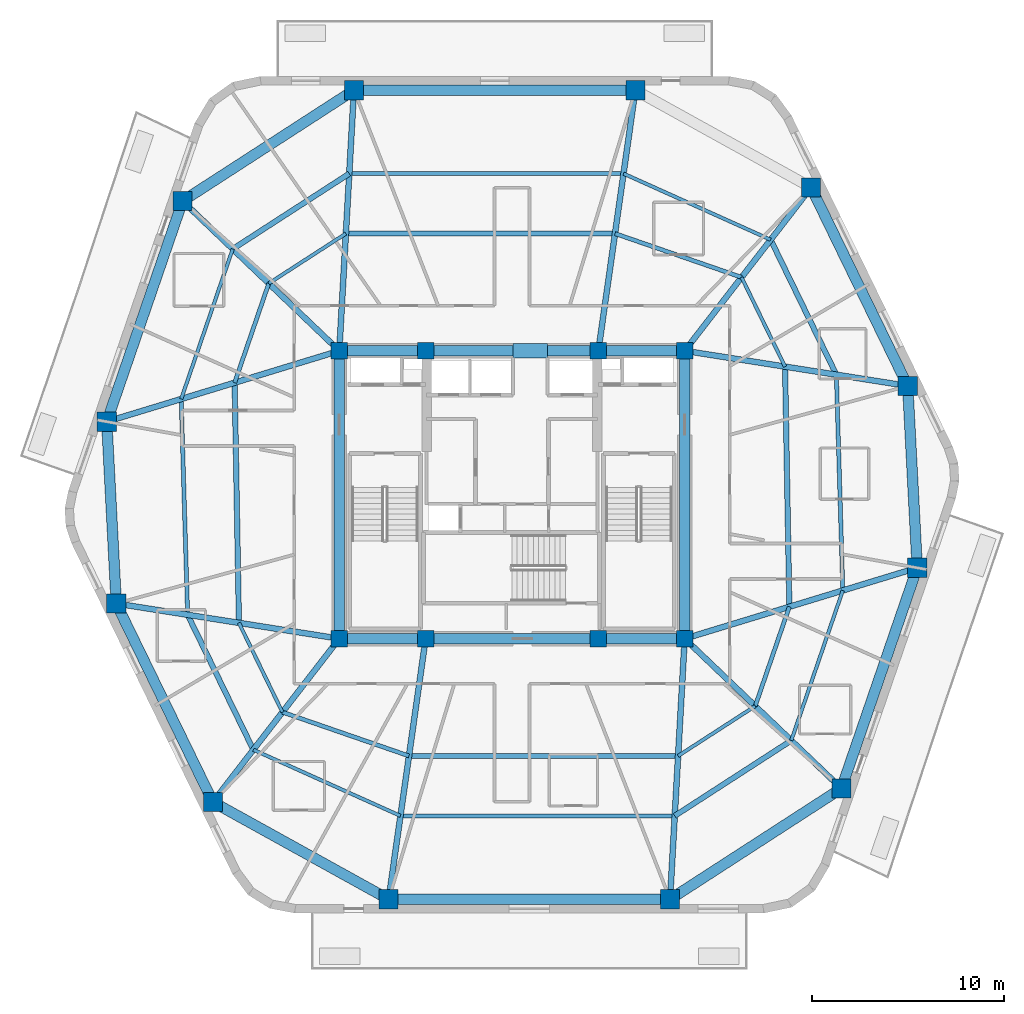
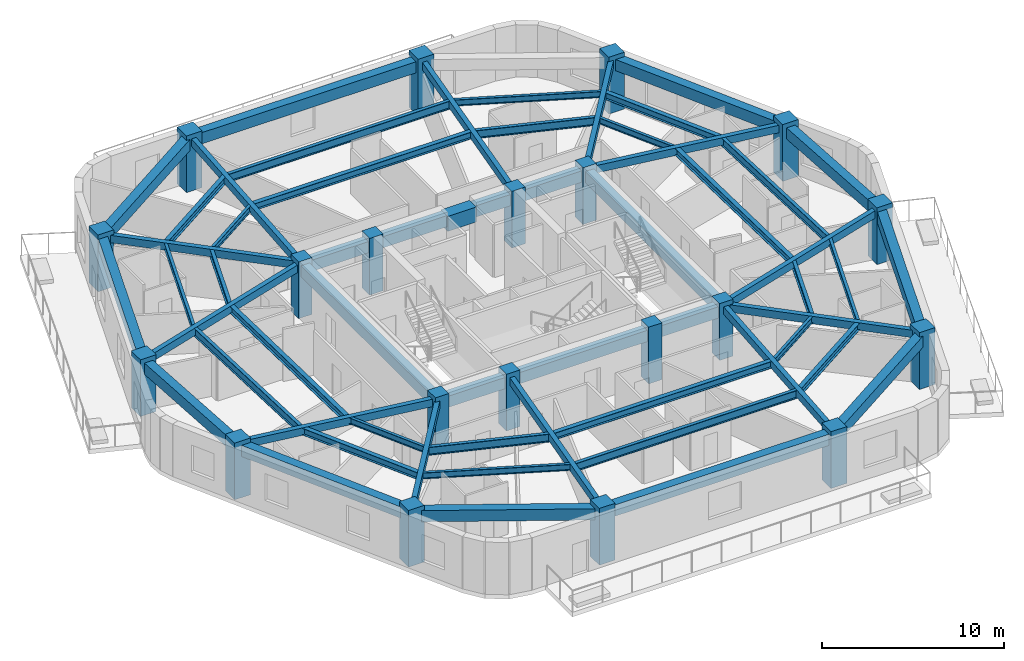
# One storey, part 1 of 9: 56 beams, 20 columns.
"""IFC4 building model written with IfcOpenShell, lengths in metres."""

from ifc_helpers import new_model, si_unit, direction, frame, origin, origin_2d, place, context, subcontext, project, spatial, rectangle, i_section, extrude, material, material_profile, profile_set, type_object, element, save


model = new_model("IFC4")

# Units and contexts
model_context = context("Model", 3, precision=1e-05, world=origin(), true_north=direction((0.0, 1.0)))
body_context = subcontext(model_context, "Body", "Model", "MODEL_VIEW")
ifc_project = project(units=[si_unit("LENGTHUNIT", "METRE"), si_unit("AREAUNIT", "SQUARE_METRE"), si_unit("VOLUMEUNIT", "CUBIC_METRE"), si_unit("PLANEANGLEUNIT", "RADIAN"), si_unit("MASSUNIT", "GRAM", prefix="KILO")], contexts=[model_context])

# Site, building, storey
site_placement = place(None, origin())
site = spatial("IfcSite", under=ifc_project, at=site_placement, CompositionType="ELEMENT")
building_placement = place(site_placement, origin())
building = spatial("IfcBuilding", under=site, at=building_placement, Name="Kilnhurst Terrace Hotel", CompositionType="ELEMENT")
storey_placement = place(building_placement, frame((0.0, 0.0, 225.5)))
storey = spatial("IfcBuildingStorey", under=building, at=storey_placement, Name="L56", CompositionType="ELEMENT", Elevation=225.5)

# Columns
ifc_material_1 = material(Name="Concrete C60/75", Category="concrete")
ifc_material_profile_1 = material_profile(ifc_material_1, rectangle(XDim=1.0, YDim=1.0, at=origin_2d()), Name="RC1000X1000")
ifc_profile_set_1 = profile_set([ifc_material_profile_1], Name="Concrete C60/75")
column_type_1 = type_object("IfcColumnType", Name="COL-RC-1000", PredefinedType="COLUMN", material=ifc_profile_set_1)
for number, where, z_axis, x_axis, name in (
    (1, (-6.429931640625, -21.080078125, 0.0), (0.0, 0.0, 1.0), (1.0, 0.0, 0.0), "L56 Structural Column PC-F11"),
    (2, (8.236083984375, -21.080078125, 0.0), (0.0, 0.0, 1.0), (1.0, 0.0, 0.0), "L56 Structural Column PC-F12"),
    (3, (17.166015625, -15.303955078125, 0.0), (0.0, 0.0, 1.0), (1.0, 0.0, 0.0), "L56 Structural Column PC-F21"),
    (4, (21.117919921875, -3.806884765625, 0.0), (0.0, 0.0, 1.0), (1.0, 0.0, 0.0), "L56 Structural Column PC-F22"),
    (5, (20.6220703125, 5.669921875, 0.0), (0.0, 0.0, 1.0), (1.0, 0.0, 0.0), "L56 Structural Column PC-F31"),
    (6, (15.5869140625, 16.012939453125, 0.0), (0.0, 0.0, 1.0), (1.0, 0.0, 0.0), "L56 Structural Column PC-F32"),
    (7, (6.429931640625, 21.080078125, 0.0), (0.0, 0.0, 1.0), (1.0, 0.0, 0.0), "L56 Structural Column PC-F41"),
    (8, (-8.236083984375, 21.080078125, 0.0), (0.0, 0.0, 1.0), (1.0, 0.0, 0.0), "L56 Structural Column PC-F42"),
    (9, (-17.166015625, 15.303955078125, 0.0), (0.0, 0.0, 1.0), (1.0, 0.0, 0.0), "L56 Structural Column PC-F51"),
    (10, (-21.117919921875, 3.806884765625, 0.0), (0.0, 0.0, 1.0), (1.0, 0.0, 0.0), "L56 Structural Column PC-F52"),
    (11, (-20.6220703125, -5.669921875, 0.0), (0.0, 0.0, 1.0), (1.0, 0.0, 0.0), "L56 Structural Column PC-F61"),
    (12, (-15.5869140625, -16.012939453125, 0.0), (0.0, 0.0, 1.0), (1.0, 0.0, 0.0), "L56 Structural Column PC-F62"),
):
    element("IfcColumn", number, at=place(storey_placement, frame(where, z_axis=z_axis, x_axis=x_axis)), inside=storey, type_object=column_type_1, Name=name, PredefinedType="COLUMN", context=body_context, shape_type="SweptSolid", body=[
        extrude(rectangle(XDim=1.0, YDim=1.0, at=origin_2d()), origin(), (0.0, 0.0, 1.0), 3.800048828125),
    ])
ifc_material_profile_2 = material_profile(ifc_material_1, rectangle(XDim=0.85009765625, YDim=0.85009765625, at=origin_2d()), Name="RC850X850")
ifc_profile_set_2 = profile_set([ifc_material_profile_2], Name="Concrete C60/75")
column_type_2 = type_object("IfcColumnType", Name="COL-RC-850", PredefinedType="COLUMN", material=ifc_profile_set_2)
for number, where, z_axis, x_axis, name in (
    (13, (-9.0, -7.5, 0.0), (0.0, 0.0, 1.0), (1.0, 0.0, 0.0), "L56 Structural Column CC-SW"),
    (14, (-4.5, -7.5, 0.0), (0.0, 0.0, 1.0), (1.0, 0.0, 0.0), "L56 Structural Column CC-SC1"),
    (15, (4.5, -7.5, 0.0), (0.0, 0.0, 1.0), (1.0, 0.0, 0.0), "L56 Structural Column CC-SC2"),
    (16, (9.0, -7.5, 0.0), (0.0, 0.0, 1.0), (1.0, 0.0, 0.0), "L56 Structural Column CC-SE"),
    (17, (9.0, 7.5, 0.0), (0.0, 0.0, 1.0), (1.0, 0.0, 0.0), "L56 Structural Column CC-NE"),
    (18, (4.5, 7.5, 0.0), (0.0, 0.0, 1.0), (1.0, 0.0, 0.0), "L56 Structural Column CC-NC2"),
    (19, (-4.5, 7.5, 0.0), (0.0, 0.0, 1.0), (1.0, 0.0, 0.0), "L56 Structural Column CC-NC1"),
    (20, (-9.0, 7.5, 0.0), (0.0, 0.0, 1.0), (1.0, 0.0, 0.0), "L56 Structural Column CC-NW"),
):
    element("IfcColumn", number, at=place(storey_placement, frame(where, z_axis=z_axis, x_axis=x_axis)), inside=storey, type_object=column_type_2, Name=name, PredefinedType="COLUMN", context=body_context, shape_type="SweptSolid", body=[
        extrude(rectangle(XDim=0.85009765625, YDim=0.85009765625, at=origin_2d()), origin(), (0.0, 0.0, 1.0), 3.800048828125),
    ])

# Beams
ifc_material_2 = material(Name="Concrete C50/60", Category="concrete")
ifc_material_profile_3 = material_profile(ifc_material_2, rectangle(XDim=0.300048828125, YDim=0.5, at=origin_2d()), Name="RC300X500")
ifc_profile_set_3 = profile_set([ifc_material_profile_3], Name="Concrete C50/60")
beam_type_1 = type_object("IfcBeamType", Name="BM-RAD-300X500", PredefinedType="BEAM", material=ifc_profile_set_3)
beam_1_placement = place(storey_placement, frame((-4.5, -7.5, 3.25), z_axis=(-0.140701170889, -0.990052109997, 0.0), x_axis=(0.990052109997, -0.140701170889, 0.0)))
element("IfcBeam", 21, at=beam_1_placement, inside=storey, type_object=beam_type_1, Name="L56 Radial Floor Beam 1", PredefinedType="BEAM", context=body_context, shape_type="SweptSolid", body=[
    extrude(rectangle(XDim=0.300048828125, YDim=0.5, at=origin_2d()), origin(), (0.0, 0.0, 1.0), 13.716552734375),
])
beam_2_placement = place(storey_placement, frame((9.0, -7.5, 3.25), z_axis=(-0.056163905291, -0.998421562138, 0.0), x_axis=(0.998421562138, -0.056163905291, 0.0)))
element("IfcBeam", 22, at=beam_2_placement, inside=storey, type_object=beam_type_1, Name="L56 Radial Floor Beam 2", PredefinedType="BEAM", context=body_context, shape_type="SweptSolid", body=[
    extrude(rectangle(XDim=0.300048828125, YDim=0.5, at=origin_2d()), origin(), (0.0, 0.0, 1.0), 13.6015625),
])
beam_3_placement = place(storey_placement, frame((9.0, -7.5, 3.25), z_axis=(0.722952064528, -0.690898192497, 0.0), x_axis=(0.690898192497, 0.722952064528, 0.0)))
element("IfcBeam", 23, at=beam_3_placement, inside=storey, type_object=beam_type_1, Name="L56 Radial Floor Beam 3", PredefinedType="BEAM", context=body_context, shape_type="SweptSolid", body=[
    extrude(rectangle(XDim=0.300048828125, YDim=0.5, at=origin_2d()), origin(), (0.0, 0.0, 1.0), 11.29541015625),
])
beam_4_placement = place(storey_placement, frame((9.0, -7.5, 3.25), z_axis=(0.956562713724, 0.291526627793, 0.0), x_axis=(-0.291526627793, 0.956562713724, 0.0)))
element("IfcBeam", 24, at=beam_4_placement, inside=storey, type_object=beam_type_1, Name="L56 Radial Floor Beam 4", PredefinedType="BEAM", context=body_context, shape_type="SweptSolid", body=[
    extrude(rectangle(XDim=0.300048828125, YDim=0.5, at=origin_2d()), origin(), (0.0, 0.0, 1.0), 12.668212890625),
])
beam_5_placement = place(storey_placement, frame((9.0, 7.5, 3.25), z_axis=(0.987828160163, -0.155549111179, 0.0), x_axis=(0.155549111179, 0.987828160163, 0.0)))
element("IfcBeam", 25, at=beam_5_placement, inside=storey, type_object=beam_type_1, Name="L56 Radial Floor Beam 5", PredefinedType="BEAM", context=body_context, shape_type="SweptSolid", body=[
    extrude(rectangle(XDim=0.300048828125, YDim=0.5, at=origin_2d()), origin(), (0.0, 0.0, 1.0), 11.765380859375),
])
beam_6_placement = place(storey_placement, frame((9.0, 7.5, 3.25), z_axis=(0.611955412533, 0.790892263884, 0.0), x_axis=(-0.790892263884, 0.611955412533, 0.0)))
element("IfcBeam", 26, at=beam_6_placement, inside=storey, type_object=beam_type_1, Name="L56 Radial Floor Beam 6", PredefinedType="BEAM", context=body_context, shape_type="SweptSolid", body=[
    extrude(rectangle(XDim=0.300048828125, YDim=0.5, at=origin_2d()), origin(), (0.0, 0.0, 1.0), 10.763671875),
])
beam_7_placement = place(storey_placement, frame((4.5, 7.5, 3.25), z_axis=(0.140701170889, 0.990052109997, 0.0), x_axis=(-0.990052109997, 0.140701170889, 0.0)))
element("IfcBeam", 27, at=beam_7_placement, inside=storey, type_object=beam_type_1, Name="L56 Radial Floor Beam 7", PredefinedType="BEAM", context=body_context, shape_type="SweptSolid", body=[
    extrude(rectangle(XDim=0.300048828125, YDim=0.5, at=origin_2d()), origin(), (0.0, 0.0, 1.0), 13.716552734375),
])
beam_8_placement = place(storey_placement, frame((-9.0, 7.5, 3.25), z_axis=(0.056163905291, 0.998421562138, 0.0), x_axis=(-0.998421562138, 0.056163905291, 0.0)))
element("IfcBeam", 28, at=beam_8_placement, inside=storey, type_object=beam_type_1, Name="L56 Radial Floor Beam 8", PredefinedType="BEAM", context=body_context, shape_type="SweptSolid", body=[
    extrude(rectangle(XDim=0.300048828125, YDim=0.5, at=origin_2d()), origin(), (0.0, 0.0, 1.0), 13.6015625),
])
beam_9_placement = place(storey_placement, frame((-9.0, 7.5, 3.25), z_axis=(-0.722952064528, 0.690898192497, 0.0), x_axis=(-0.690898192497, -0.722952064528, 0.0)))
element("IfcBeam", 29, at=beam_9_placement, inside=storey, type_object=beam_type_1, Name="L56 Radial Floor Beam 9", PredefinedType="BEAM", context=body_context, shape_type="SweptSolid", body=[
    extrude(rectangle(XDim=0.300048828125, YDim=0.5, at=origin_2d()), origin(), (0.0, 0.0, 1.0), 11.29541015625),
])
beam_10_placement = place(storey_placement, frame((-9.0, 7.5, 3.25), z_axis=(-0.956562713724, -0.291526627793, 0.0), x_axis=(0.291526627793, -0.956562713724, 0.0)))
element("IfcBeam", 30, at=beam_10_placement, inside=storey, type_object=beam_type_1, Name="L56 Radial Floor Beam 10", PredefinedType="BEAM", context=body_context, shape_type="SweptSolid", body=[
    extrude(rectangle(XDim=0.300048828125, YDim=0.5, at=origin_2d()), origin(), (0.0, 0.0, 1.0), 12.668212890625),
])
beam_11_placement = place(storey_placement, frame((-9.0, -7.5, 3.25), z_axis=(-0.987828160163, 0.155549111179, 0.0), x_axis=(-0.155549111179, -0.987828160163, 0.0)))
element("IfcBeam", 31, at=beam_11_placement, inside=storey, type_object=beam_type_1, Name="L56 Radial Floor Beam 11", PredefinedType="BEAM", context=body_context, shape_type="SweptSolid", body=[
    extrude(rectangle(XDim=0.300048828125, YDim=0.5, at=origin_2d()), origin(), (0.0, 0.0, 1.0), 11.765380859375),
])
beam_12_placement = place(storey_placement, frame((-9.0, -7.5, 3.25), z_axis=(-0.611955412533, -0.790892263884, 0.0), x_axis=(0.790892263884, -0.611955412533, 0.0)))
element("IfcBeam", 32, at=beam_12_placement, inside=storey, type_object=beam_type_1, Name="L56 Radial Floor Beam 12", PredefinedType="BEAM", context=body_context, shape_type="SweptSolid", body=[
    extrude(rectangle(XDim=0.300048828125, YDim=0.5, at=origin_2d()), origin(), (0.0, 0.0, 1.0), 10.763671875),
])
ifc_material_profile_4 = material_profile(ifc_material_2, rectangle(XDim=0.550048828125, YDim=0.75, at=origin_2d()), Name="RC550X750")
ifc_profile_set_4 = profile_set([ifc_material_profile_4], Name="Concrete C50/60")
beam_type_2 = type_object("IfcBeamType", Name="BM-SPN-550X750", PredefinedType="SPANDREL", material=ifc_profile_set_4)
beam_13_placement = place(storey_placement, frame((-9.0, 7.5, 3.125), z_axis=(1.0, 0.0, 0.0), x_axis=(0.0, 1.0, 0.0)))
element("IfcBeam", 33, at=beam_13_placement, inside=storey, type_object=beam_type_2, Name="L56 Core Tie Beam CC-NW to CC-NC1", PredefinedType="SPANDREL", context=body_context, shape_type="SweptSolid", body=[
    extrude(rectangle(XDim=0.550048828125, YDim=0.75, at=origin_2d()), origin(), (0.0, 0.0, 1.0), 4.5),
])
beam_14_placement = place(storey_placement, frame((-4.5, 7.5, 3.125), z_axis=(1.0, 0.0, 0.0), x_axis=(0.0, 1.0, 0.0)))
element("IfcBeam", 34, at=beam_14_placement, inside=storey, type_object=beam_type_2, Name="L56 Core Tie Beam CC-NC1 to CC-NC2", PredefinedType="SPANDREL", context=body_context, shape_type="SweptSolid", body=[
    extrude(rectangle(XDim=0.550048828125, YDim=0.75, at=origin_2d()), origin(), (0.0, 0.0, 1.0), 9.0),
])
for number, where, z_axis, x_axis, name in (
    (35, (4.5, 7.5, 3.125), (1.0, 0.0, 0.0), (0.0, 1.0, 0.0), "L56 Core Tie Beam CC-NC2 to CC-NE"),
    (36, (-9.0, -7.5, 3.125), (1.0, 0.0, 0.0), (0.0, 1.0, 0.0), "L56 Core Tie Beam CC-SW to CC-SC1"),
):
    element("IfcBeam", number, at=place(storey_placement, frame(where, z_axis=z_axis, x_axis=x_axis)), inside=storey, type_object=beam_type_2, Name=name, PredefinedType="SPANDREL", context=body_context, shape_type="SweptSolid", body=[
        extrude(rectangle(XDim=0.550048828125, YDim=0.75, at=origin_2d()), origin(), (0.0, 0.0, 1.0), 4.5),
    ])
beam_15_placement = place(storey_placement, frame((-4.5, -7.5, 3.125), z_axis=(1.0, 0.0, 0.0), x_axis=(0.0, 1.0, 0.0)))
element("IfcBeam", 37, at=beam_15_placement, inside=storey, type_object=beam_type_2, Name="L56 Core Tie Beam CC-SC1 to CC-SC2", PredefinedType="SPANDREL", context=body_context, shape_type="SweptSolid", body=[
    extrude(rectangle(XDim=0.550048828125, YDim=0.75, at=origin_2d()), origin(), (0.0, 0.0, 1.0), 9.0),
])
beam_16_placement = place(storey_placement, frame((4.5, -7.5, 3.125), z_axis=(1.0, 0.0, 0.0), x_axis=(0.0, 1.0, 0.0)))
element("IfcBeam", 38, at=beam_16_placement, inside=storey, type_object=beam_type_2, Name="L56 Core Tie Beam CC-SC2 to CC-SE", PredefinedType="SPANDREL", context=body_context, shape_type="SweptSolid", body=[
    extrude(rectangle(XDim=0.550048828125, YDim=0.75, at=origin_2d()), origin(), (0.0, 0.0, 1.0), 4.5),
])
for number, where, z_axis, x_axis, name in (
    (39, (-9.0, -7.5, 3.125), (0.0, 1.0, 0.0), (-1.0, 0.0, 0.0), "L56 Core Tie Beam CC-SW to CC-NW"),
    (40, (9.0, -7.5, 3.125), (0.0, 1.0, 0.0), (-1.0, 0.0, 0.0), "L56 Core Tie Beam CC-SE to CC-NE"),
):
    element("IfcBeam", number, at=place(storey_placement, frame(where, z_axis=z_axis, x_axis=x_axis)), inside=storey, type_object=beam_type_2, Name=name, PredefinedType="SPANDREL", context=body_context, shape_type="SweptSolid", body=[
        extrude(rectangle(XDim=0.550048828125, YDim=0.75, at=origin_2d()), origin(), (0.0, 0.0, 1.0), 15.0),
    ])
beam_17_placement = place(storey_placement, frame((-6.429931640625, -21.080078125, 3.125), z_axis=(1.0, 0.0, 0.0), x_axis=(0.0, 1.0, 0.0)))
element("IfcBeam", 41, at=beam_17_placement, inside=storey, type_object=beam_type_2, Name="L56 Perimeter Spandrel Beam 1", PredefinedType="SPANDREL", context=body_context, shape_type="SweptSolid", body=[
    extrude(rectangle(XDim=0.550048828125, YDim=0.75, at=origin_2d()), origin(), (0.0, 0.0, 1.0), 14.666015625),
])
beam_18_placement = place(storey_placement, frame((8.236083984375, -21.080078125, 3.125), z_axis=(0.839658834217, 0.543114207254, 0.0), x_axis=(-0.543114207254, 0.839658834217, 0.0)))
element("IfcBeam", 42, at=beam_18_placement, inside=storey, type_object=beam_type_2, Name="L56 Perimeter Spandrel Beam 2", PredefinedType="SPANDREL", context=body_context, shape_type="SweptSolid", body=[
    extrude(rectangle(XDim=0.550048828125, YDim=0.75, at=origin_2d()), origin(), (0.0, 0.0, 1.0), 10.63525390625),
])
beam_19_placement = place(storey_placement, frame((17.166015625, -15.303955078125, 3.125), z_axis=(0.325064053802, 0.94569200109, 0.0), x_axis=(-0.94569200109, 0.325064053802, 0.0)))
element("IfcBeam", 43, at=beam_19_placement, inside=storey, type_object=beam_type_2, Name="L56 Perimeter Spandrel Beam 3", PredefinedType="SPANDREL", context=body_context, shape_type="SweptSolid", body=[
    extrude(rectangle(XDim=0.550048828125, YDim=0.75, at=origin_2d()), origin(), (0.0, 0.0, 1.0), 12.1572265625),
])
beam_20_placement = place(storey_placement, frame((21.117919921875, -3.806884765625, 3.125), z_axis=(-0.052250962837, 0.998633985443, 0.0), x_axis=(-0.998633985443, -0.052250962837, 0.0)))
element("IfcBeam", 44, at=beam_20_placement, inside=storey, type_object=beam_type_2, Name="L56 Perimeter Spandrel Beam 4", PredefinedType="SPANDREL", context=body_context, shape_type="SweptSolid", body=[
    extrude(rectangle(XDim=0.550048828125, YDim=0.75, at=origin_2d()), origin(), (0.0, 0.0, 1.0), 9.48974609375),
])
beam_21_placement = place(storey_placement, frame((20.6220703125, 5.669921875, 3.125), z_axis=(-0.437705964683, 0.899118172701, 0.0), x_axis=(-0.899118172701, -0.437705964683, 0.0)))
element("IfcBeam", 45, at=beam_21_placement, inside=storey, type_object=beam_type_2, Name="L56 Perimeter Spandrel Beam 5", PredefinedType="SPANDREL", context=body_context, shape_type="SweptSolid", body=[
    extrude(rectangle(XDim=0.550048828125, YDim=0.75, at=origin_2d()), origin(), (0.0, 0.0, 1.0), 11.50341796875),
])
beam_22_placement = place(storey_placement, frame((6.429931640625, 21.080078125, 3.125), z_axis=(-1.0, 0.0, 0.0), x_axis=(0.0, -1.0, 0.0)))
element("IfcBeam", 46, at=beam_22_placement, inside=storey, type_object=beam_type_2, Name="L56 Perimeter Spandrel Beam 7", PredefinedType="SPANDREL", context=body_context, shape_type="SweptSolid", body=[
    extrude(rectangle(XDim=0.550048828125, YDim=0.75, at=origin_2d()), origin(), (0.0, 0.0, 1.0), 14.666015625),
])
beam_23_placement = place(storey_placement, frame((-8.236083984375, 21.080078125, 3.125), z_axis=(-0.839658834217, -0.543114207254, 0.0), x_axis=(0.543114207254, -0.839658834217, 0.0)))
element("IfcBeam", 47, at=beam_23_placement, inside=storey, type_object=beam_type_2, Name="L56 Perimeter Spandrel Beam 8", PredefinedType="SPANDREL", context=body_context, shape_type="SweptSolid", body=[
    extrude(rectangle(XDim=0.550048828125, YDim=0.75, at=origin_2d()), origin(), (0.0, 0.0, 1.0), 10.63525390625),
])
beam_24_placement = place(storey_placement, frame((-17.166015625, 15.303955078125, 3.125), z_axis=(-0.325064053802, -0.94569200109, 0.0), x_axis=(0.94569200109, -0.325064053802, 0.0)))
element("IfcBeam", 48, at=beam_24_placement, inside=storey, type_object=beam_type_2, Name="L56 Perimeter Spandrel Beam 9", PredefinedType="SPANDREL", context=body_context, shape_type="SweptSolid", body=[
    extrude(rectangle(XDim=0.550048828125, YDim=0.75, at=origin_2d()), origin(), (0.0, 0.0, 1.0), 12.1572265625),
])
beam_25_placement = place(storey_placement, frame((-21.117919921875, 3.806884765625, 3.125), z_axis=(0.052250962837, -0.998633985443, 0.0), x_axis=(0.998633985443, 0.052250962837, 0.0)))
element("IfcBeam", 49, at=beam_25_placement, inside=storey, type_object=beam_type_2, Name="L56 Perimeter Spandrel Beam 10", PredefinedType="SPANDREL", context=body_context, shape_type="SweptSolid", body=[
    extrude(rectangle(XDim=0.550048828125, YDim=0.75, at=origin_2d()), origin(), (0.0, 0.0, 1.0), 9.48974609375),
])
beam_26_placement = place(storey_placement, frame((-20.6220703125, -5.669921875, 3.125), z_axis=(0.437705964683, -0.899118172701, 0.0), x_axis=(0.899118172701, 0.437705964683, 0.0)))
element("IfcBeam", 50, at=beam_26_placement, inside=storey, type_object=beam_type_2, Name="L56 Perimeter Spandrel Beam 11", PredefinedType="SPANDREL", context=body_context, shape_type="SweptSolid", body=[
    extrude(rectangle(XDim=0.550048828125, YDim=0.75, at=origin_2d()), origin(), (0.0, 0.0, 1.0), 11.50341796875),
])
beam_27_placement = place(storey_placement, frame((-15.5869140625, -16.012939453125, 3.125), z_axis=(0.874970333121, -0.484176534085, 0.0), x_axis=(0.484176534085, 0.874970333121, 0.0)))
element("IfcBeam", 51, at=beam_27_placement, inside=storey, type_object=beam_type_2, Name="L56 Perimeter Spandrel Beam 12", PredefinedType="SPANDREL", context=body_context, shape_type="SweptSolid", body=[
    extrude(rectangle(XDim=0.550048828125, YDim=0.75, at=origin_2d()), origin(), (0.0, 0.0, 1.0), 10.465576171875),
])
ifc_material_3 = material(Name="Steel ASTM A992 Grade 50", Category="steel")
ifc_material_profile_5 = material_profile(ifc_material_3, i_section(OverallWidth=0.180908203125, OverallDepth=0.417236328125, WebThickness=0.010986328125, FlangeThickness=0.018310546875, at=origin_2d()), Name="W16X57")
ifc_profile_set_5 = profile_set([ifc_material_profile_5], Name="Steel ASTM A992 Grade 50")
beam_type_3 = type_object("IfcBeamType", Name="JST-STL-W16X57", PredefinedType="JOIST", material=ifc_profile_set_5)
beam_28_placement = place(storey_placement, frame((14.552978515625, -12.806640625, 3.291015625), z_axis=(0.325064911916, 0.945691706129, 0.0), x_axis=(-0.945691706129, 0.325064911916, 0.0)))
element("IfcBeam", 52, at=beam_28_placement, inside=storey, type_object=beam_type_3, Name="L56 Secondary Floor Steel Joist OUT.3", PredefinedType="JOIST", context=body_context, shape_type="SweptSolid", body=[
    extrude(i_section(OverallWidth=0.180908203125, OverallDepth=0.417236328125, WebThickness=0.010986328125, FlangeThickness=0.018310546875, at=origin_2d()), origin(), (0.0, 0.0, 1.0), 8.266845703125),
])
beam_29_placement = place(storey_placement, frame((13.479248046875, 13.288818359375, 3.291015625), z_axis=(-0.912120852375, 0.409921395713, 0.0), x_axis=(-0.409921395713, -0.912120852375, 0.0)))
element("IfcBeam", 53, at=beam_29_placement, inside=storey, type_object=beam_type_3, Name="L56 Secondary Floor Steel Joist OUT.6", PredefinedType="JOIST", context=body_context, shape_type="SweptSolid", body=[
    extrude(i_section(OverallWidth=0.180908203125, OverallDepth=0.417236328125, WebThickness=0.010986328125, FlangeThickness=0.018310546875, at=origin_2d()), origin(), (0.0, 0.0, 1.0), 8.405517578125),
])
beam_30_placement = place(storey_placement, frame((-14.552978515625, 12.806640625, 3.291015625), z_axis=(-0.325064911916, -0.945691706129, 0.0), x_axis=(0.945691706129, -0.325064911916, 0.0)))
element("IfcBeam", 54, at=beam_30_placement, inside=storey, type_object=beam_type_3, Name="L56 Secondary Floor Steel Joist OUT.9", PredefinedType="JOIST", context=body_context, shape_type="SweptSolid", body=[
    extrude(i_section(OverallWidth=0.180908203125, OverallDepth=0.417236328125, WebThickness=0.010986328125, FlangeThickness=0.018310546875, at=origin_2d()), origin(), (0.0, 0.0, 1.0), 8.266845703125),
])
beam_31_placement = place(storey_placement, frame((-13.479248046875, -13.288818359375, 3.291015625), z_axis=(0.912120852375, -0.409921395713, 0.0), x_axis=(0.409921395713, 0.912120852375, 0.0)))
element("IfcBeam", 55, at=beam_31_placement, inside=storey, type_object=beam_type_3, Name="L56 Secondary Floor Steel Joist OUT.12", PredefinedType="JOIST", context=body_context, shape_type="SweptSolid", body=[
    extrude(i_section(OverallWidth=0.180908203125, OverallDepth=0.417236328125, WebThickness=0.010986328125, FlangeThickness=0.018310546875, at=origin_2d()), origin(), (0.0, 0.0, 1.0), 8.405517578125),
])
beam_32_placement = place(storey_placement, frame((8.65625, -13.611083984375, 3.291015625), z_axis=(0.839653632344, 0.543122249306, 0.0), x_axis=(-0.543122249306, 0.839653632344, 0.0)))
element("IfcBeam", 56, at=beam_32_placement, inside=storey, type_object=beam_type_3, Name="L56 Secondary Floor Steel Joist IN.2", PredefinedType="JOIST", context=body_context, shape_type="SweptSolid", body=[
    extrude(i_section(OverallWidth=0.180908203125, OverallDepth=0.417236328125, WebThickness=0.010986328125, FlangeThickness=0.018310546875, at=origin_2d()), origin(), (0.0, 0.0, 1.0), 4.785888671875),
])
beam_33_placement = place(storey_placement, frame((14.22998046875, 6.676513671875, 3.291015625), z_axis=(-0.437718230281, 0.899112201496, 0.0), x_axis=(-0.899112201496, -0.437718230281, 0.0)))
element("IfcBeam", 57, at=beam_33_placement, inside=storey, type_object=beam_type_3, Name="L56 Secondary Floor Steel Joist IN.5", PredefinedType="JOIST", context=body_context, shape_type="SweptSolid", body=[
    extrude(i_section(OverallWidth=0.180908203125, OverallDepth=0.417236328125, WebThickness=0.010986328125, FlangeThickness=0.018310546875, at=origin_2d()), origin(), (0.0, 0.0, 1.0), 5.176513671875),
])
beam_34_placement = place(storey_placement, frame((-8.65625, 13.611083984375, 3.291015625), z_axis=(-0.839653632344, -0.543122249306, 0.0), x_axis=(0.543122249306, -0.839653632344, 0.0)))
element("IfcBeam", 58, at=beam_34_placement, inside=storey, type_object=beam_type_3, Name="L56 Secondary Floor Steel Joist IN.8", PredefinedType="JOIST", context=body_context, shape_type="SweptSolid", body=[
    extrude(i_section(OverallWidth=0.180908203125, OverallDepth=0.417236328125, WebThickness=0.010986328125, FlangeThickness=0.018310546875, at=origin_2d()), origin(), (0.0, 0.0, 1.0), 4.785888671875),
])
beam_35_placement = place(storey_placement, frame((-14.22998046875, -6.676513671875, 3.291015625), z_axis=(0.437718230281, -0.899112201496, 0.0), x_axis=(0.899112201496, 0.437718230281, 0.0)))
element("IfcBeam", 59, at=beam_35_placement, inside=storey, type_object=beam_type_3, Name="L56 Secondary Floor Steel Joist IN.11", PredefinedType="JOIST", context=body_context, shape_type="SweptSolid", body=[
    extrude(i_section(OverallWidth=0.180908203125, OverallDepth=0.417236328125, WebThickness=0.010986328125, FlangeThickness=0.018310546875, at=origin_2d()), origin(), (0.0, 0.0, 1.0), 5.176513671875),
])
ifc_material_profile_6 = material_profile(ifc_material_3, i_section(OverallWidth=0.279296875, OverallDepth=0.462890625, WebThickness=0.0107421875, FlangeThickness=0.017333984375, at=origin_2d()), Name="W18X76")
ifc_profile_set_6 = profile_set([ifc_material_profile_6], Name="Steel ASTM A992 Grade 50")
beam_type_4 = type_object("IfcBeamType", Name="JST-STL-W18X76", PredefinedType="JOIST", material=ifc_profile_set_6)
beam_36_placement = place(storey_placement, frame((8.48046875, -16.734375, 3.26806640625), z_axis=(0.839667054453, 0.543101498494, 0.0), x_axis=(-0.543101498494, 0.839667054453, 0.0)))
element("IfcBeam", 60, at=beam_36_placement, inside=storey, type_object=beam_type_4, Name="L56 Secondary Floor Steel Joist OUT.2", PredefinedType="JOIST", context=body_context, shape_type="SweptSolid", body=[
    extrude(i_section(OverallWidth=0.279296875, OverallDepth=0.462890625, WebThickness=0.0107421875, FlangeThickness=0.017333984375, at=origin_2d()), origin(), (0.0, 0.0, 1.0), 7.23193359375),
])
beam_37_placement = place(storey_placement, frame((16.903076171875, 6.255615234375, 3.26806640625), z_axis=(-0.437700347277, 0.899120907328, 0.0), x_axis=(-0.899120907328, -0.437700347277, 0.0)))
element("IfcBeam", 61, at=beam_37_placement, inside=storey, type_object=beam_type_4, Name="L56 Secondary Floor Steel Joist OUT.5", PredefinedType="JOIST", context=body_context, shape_type="SweptSolid", body=[
    extrude(i_section(OverallWidth=0.279296875, OverallDepth=0.462890625, WebThickness=0.0107421875, FlangeThickness=0.017333984375, at=origin_2d()), origin(), (0.0, 0.0, 1.0), 7.822265625),
])
beam_38_placement = place(storey_placement, frame((-8.48046875, 16.734375, 3.26806640625), z_axis=(-0.839667054453, -0.543101498494, 0.0), x_axis=(0.543101498494, -0.839667054453, 0.0)))
element("IfcBeam", 62, at=beam_38_placement, inside=storey, type_object=beam_type_4, Name="L56 Secondary Floor Steel Joist OUT.8", PredefinedType="JOIST", context=body_context, shape_type="SweptSolid", body=[
    extrude(i_section(OverallWidth=0.279296875, OverallDepth=0.462890625, WebThickness=0.0107421875, FlangeThickness=0.017333984375, at=origin_2d()), origin(), (0.0, 0.0, 1.0), 7.23193359375),
])
beam_39_placement = place(storey_placement, frame((-16.903076171875, -6.255615234375, 3.26806640625), z_axis=(0.437700347277, -0.899120907328, 0.0), x_axis=(0.899120907328, 0.437700347277, 0.0)))
element("IfcBeam", 63, at=beam_39_placement, inside=storey, type_object=beam_type_4, Name="L56 Secondary Floor Steel Joist OUT.11", PredefinedType="JOIST", context=body_context, shape_type="SweptSolid", body=[
    extrude(i_section(OverallWidth=0.279296875, OverallDepth=0.462890625, WebThickness=0.0107421875, FlangeThickness=0.017333984375, at=origin_2d()), origin(), (0.0, 0.0, 1.0), 7.822265625),
])
beam_40_placement = place(storey_placement, frame((-5.368408203125, -13.611083984375, 3.26806640625), z_axis=(1.0, 0.0, 0.0), x_axis=(0.0, 1.0, 0.0)))
element("IfcBeam", 64, at=beam_40_placement, inside=storey, type_object=beam_type_4, Name="L56 Secondary Floor Steel Joist IN.1", PredefinedType="JOIST", context=body_context, shape_type="SweptSolid", body=[
    extrude(i_section(OverallWidth=0.279296875, OverallDepth=0.462890625, WebThickness=0.0107421875, FlangeThickness=0.017333984375, at=origin_2d()), origin(), (0.0, 0.0, 1.0), 14.024658203125),
])
beam_41_placement = place(storey_placement, frame((14.453125, -5.838134765625, 3.26806640625), z_axis=(-0.017827833387, 0.999841071549, 0.0), x_axis=(-0.999841071549, -0.017827833387, 0.0)))
element("IfcBeam", 65, at=beam_41_placement, inside=storey, type_object=beam_type_4, Name="L56 Secondary Floor Steel Joist IN.4", PredefinedType="JOIST", context=body_context, shape_type="SweptSolid", body=[
    extrude(i_section(OverallWidth=0.279296875, OverallDepth=0.462890625, WebThickness=0.0107421875, FlangeThickness=0.017333984375, at=origin_2d()), origin(), (0.0, 0.0, 1.0), 12.5166015625),
])
beam_42_placement = place(storey_placement, frame((5.368408203125, 13.611083984375, 3.26806640625), z_axis=(-1.0, 0.0, 0.0), x_axis=(0.0, -1.0, 0.0)))
element("IfcBeam", 66, at=beam_42_placement, inside=storey, type_object=beam_type_4, Name="L56 Secondary Floor Steel Joist IN.7", PredefinedType="JOIST", context=body_context, shape_type="SweptSolid", body=[
    extrude(i_section(OverallWidth=0.279296875, OverallDepth=0.462890625, WebThickness=0.0107421875, FlangeThickness=0.017333984375, at=origin_2d()), origin(), (0.0, 0.0, 1.0), 14.024658203125),
])
beam_43_placement = place(storey_placement, frame((-14.453125, 5.838134765625, 3.26806640625), z_axis=(0.017827833387, -0.999841071549, 0.0), x_axis=(0.999841071549, 0.017827833387, 0.0)))
element("IfcBeam", 67, at=beam_43_placement, inside=storey, type_object=beam_type_4, Name="L56 Secondary Floor Steel Joist IN.10", PredefinedType="JOIST", context=body_context, shape_type="SweptSolid", body=[
    extrude(i_section(OverallWidth=0.279296875, OverallDepth=0.462890625, WebThickness=0.0107421875, FlangeThickness=0.017333984375, at=origin_2d()), origin(), (0.0, 0.0, 1.0), 12.5166015625),
])
ifc_material_profile_7 = material_profile(ifc_material_3, i_section(OverallWidth=0.2138671875, OverallDepth=0.549072265625, WebThickness=0.0146484375, FlangeThickness=0.023681640625, at=origin_2d()), Name="W21X93")
ifc_profile_set_7 = profile_set([ifc_material_profile_7], Name="Steel ASTM A992 Grade 50")
beam_type_5 = type_object("IfcBeamType", Name="JST-STL-W21X93", PredefinedType="JOIST", material=ifc_profile_set_7)
beam_44_placement = place(storey_placement, frame((-5.8125, -16.734375, 3.22509765625), z_axis=(1.0, 0.0, 0.0), x_axis=(0.0, 1.0, 0.0)))
element("IfcBeam", 68, at=beam_44_placement, inside=storey, type_object=beam_type_5, Name="L56 Secondary Floor Steel Joist OUT.1", PredefinedType="JOIST", context=body_context, shape_type="SweptSolid", body=[
    extrude(i_section(OverallWidth=0.2138671875, OverallDepth=0.549072265625, WebThickness=0.0146484375, FlangeThickness=0.023681640625, at=origin_2d()), origin(), (0.0, 0.0, 1.0), 14.29296875),
])
beam_45_placement = place(storey_placement, frame((17.240234375, -4.98876953125, 3.22509765625), z_axis=(-0.029971114202, 0.999550765251, 0.0), x_axis=(-0.999550765251, -0.029971114202, 0.0)))
element("IfcBeam", 69, at=beam_45_placement, inside=storey, type_object=beam_type_5, Name="L56 Secondary Floor Steel Joist OUT.4", PredefinedType="JOIST", context=body_context, shape_type="SweptSolid", body=[
    extrude(i_section(OverallWidth=0.2138671875, OverallDepth=0.549072265625, WebThickness=0.0146484375, FlangeThickness=0.023681640625, at=origin_2d()), origin(), (0.0, 0.0, 1.0), 11.24951171875),
])
beam_46_placement = place(storey_placement, frame((5.8125, 16.734375, 3.22509765625), z_axis=(-1.0, 0.0, 0.0), x_axis=(0.0, -1.0, 0.0)))
element("IfcBeam", 70, at=beam_46_placement, inside=storey, type_object=beam_type_5, Name="L56 Secondary Floor Steel Joist OUT.7", PredefinedType="JOIST", context=body_context, shape_type="SweptSolid", body=[
    extrude(i_section(OverallWidth=0.2138671875, OverallDepth=0.549072265625, WebThickness=0.0146484375, FlangeThickness=0.023681640625, at=origin_2d()), origin(), (0.0, 0.0, 1.0), 14.29296875),
])
beam_47_placement = place(storey_placement, frame((-17.240234375, 4.98876953125, 3.22509765625), z_axis=(0.029971114202, -0.999550765251, 0.0), x_axis=(0.999550765251, 0.029971114202, 0.0)))
element("IfcBeam", 71, at=beam_47_placement, inside=storey, type_object=beam_type_5, Name="L56 Secondary Floor Steel Joist OUT.10", PredefinedType="JOIST", context=body_context, shape_type="SweptSolid", body=[
    extrude(i_section(OverallWidth=0.2138671875, OverallDepth=0.549072265625, WebThickness=0.0146484375, FlangeThickness=0.023681640625, at=origin_2d()), origin(), (0.0, 0.0, 1.0), 11.24951171875),
])
beam_48_placement = place(storey_placement, frame((12.6748046875, -11.01171875, 3.22509765625), z_axis=(0.325063554612, 0.945692172677, 0.0), x_axis=(-0.945692172677, 0.325063554612, 0.0)))
element("IfcBeam", 72, at=beam_48_placement, inside=storey, type_object=beam_type_5, Name="L56 Secondary Floor Steel Joist IN.3", PredefinedType="JOIST", context=body_context, shape_type="SweptSolid", body=[
    extrude(i_section(OverallWidth=0.2138671875, OverallDepth=0.549072265625, WebThickness=0.0146484375, FlangeThickness=0.023681640625, at=origin_2d()), origin(), (0.0, 0.0, 1.0), 5.470703125),
])
beam_49_placement = place(storey_placement, frame((11.964111328125, 11.330810546875, 3.22509765625), z_axis=(-0.94511244231, 0.326745269884, 0.0), x_axis=(-0.326745269884, -0.94511244231, 0.0)))
element("IfcBeam", 73, at=beam_49_placement, inside=storey, type_object=beam_type_5, Name="L56 Secondary Floor Steel Joist IN.6", PredefinedType="JOIST", context=body_context, shape_type="SweptSolid", body=[
    extrude(i_section(OverallWidth=0.2138671875, OverallDepth=0.549072265625, WebThickness=0.0146484375, FlangeThickness=0.023681640625, at=origin_2d()), origin(), (0.0, 0.0, 1.0), 6.978759765625),
])
beam_50_placement = place(storey_placement, frame((-12.6748046875, 11.01171875, 3.22509765625), z_axis=(-0.325063554612, -0.945692172677, 0.0), x_axis=(0.945692172677, -0.325063554612, 0.0)))
element("IfcBeam", 74, at=beam_50_placement, inside=storey, type_object=beam_type_5, Name="L56 Secondary Floor Steel Joist IN.9", PredefinedType="JOIST", context=body_context, shape_type="SweptSolid", body=[
    extrude(i_section(OverallWidth=0.2138671875, OverallDepth=0.549072265625, WebThickness=0.0146484375, FlangeThickness=0.023681640625, at=origin_2d()), origin(), (0.0, 0.0, 1.0), 5.470703125),
])
beam_51_placement = place(storey_placement, frame((-11.964111328125, -11.330810546875, 3.22509765625), z_axis=(0.94511244231, -0.326745269884, 0.0), x_axis=(0.326745269884, 0.94511244231, 0.0)))
element("IfcBeam", 75, at=beam_51_placement, inside=storey, type_object=beam_type_5, Name="L56 Secondary Floor Steel Joist IN.12", PredefinedType="JOIST", context=body_context, shape_type="SweptSolid", body=[
    extrude(i_section(OverallWidth=0.2138671875, OverallDepth=0.549072265625, WebThickness=0.0146484375, FlangeThickness=0.023681640625, at=origin_2d()), origin(), (0.0, 0.0, 1.0), 6.978759765625),
])
ifc_material_profile_8 = material_profile(ifc_material_1, rectangle(XDim=0.75, YDim=1.0, at=origin_2d()), Name="RC750X1000")
ifc_profile_set_8 = profile_set([ifc_material_profile_8], Name="Concrete C60/75")
beam_type_6 = type_object("IfcBeamType", Name="LNT-CB-750X1000", PredefinedType="LINTEL", material=ifc_profile_set_8)
beam_52_placement = place(storey_placement, frame((0.050048828125, 7.5, 3.0), z_axis=(1.0, 0.0, 0.0), x_axis=(0.0, 1.0, 0.0)))
element("IfcBeam", 76, at=beam_52_placement, inside=storey, type_object=beam_type_6, Name="L56 North Core Coupling Link Beam", PredefinedType="LINTEL", context=body_context, shape_type="SweptSolid", body=[
    extrude(rectangle(XDim=0.75, YDim=1.0, at=origin_2d()), origin(), (0.0, 0.0, 1.0), 1.800048828125),
])

save(model, "model.ifc")
